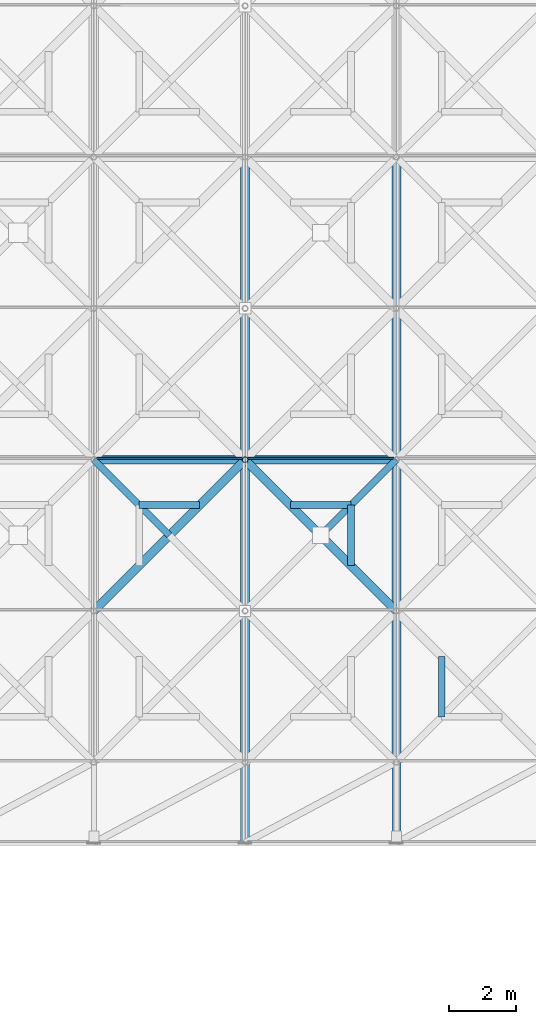
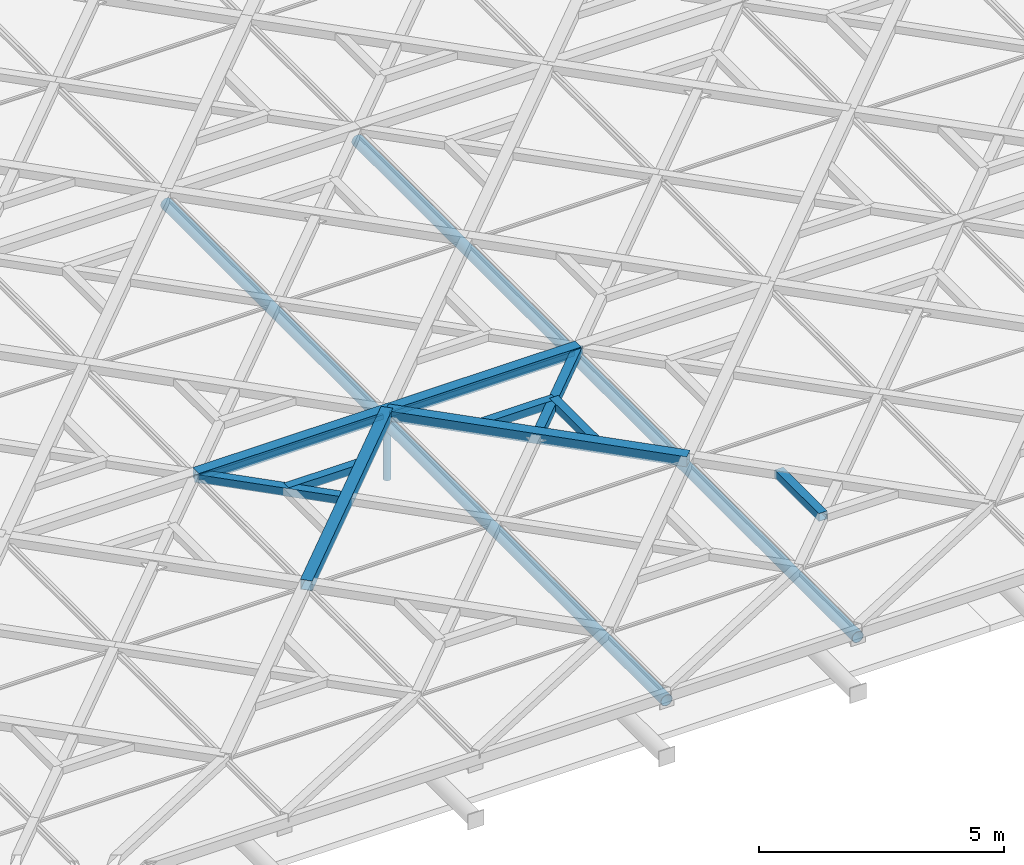
# One storey, part 20 of 80: 14 members, 2 elements without a shape of their own.
"""IFC4 building model written with IfcOpenShell, lengths in metres."""

import ifcopenshell
import ifcopenshell.guid

model = None  # the IFC model being written
_history = None  # IfcOwnerHistory: only IFC2X3 demands one
_inside = {}  # id of a spatial element -> (the spatial element, [elements in it])
_under = {}  # id of a project, library or spatial element -> (it, [spatial elements below it])
_declared = {}  # id of a project -> (the project, [libraries it declares])
_typed = {}  # id of a type object -> (the type object, [elements of that type])
_made_of = {}  # id of a material, layer set ... -> (it, [elements and type objects made of it])


def new_model(schema):
    """Start an empty IFC model of exactly this schema.

    Asked for "IFC4X3", IfcOpenShell would pick the latest addendum, in which some entities
    have other attributes; the version numbers below select the first issue.
    IFC2X3 requires an IfcOwnerHistory on every rooted entity: one is made here for all.
    """
    global model, _history
    if schema == "IFC4X3":
        model = ifcopenshell.file(schema_version=(4, 3, 0, 0))
    else:
        model = ifcopenshell.file(schema=schema)
    _inside.clear()
    _under.clear()
    _declared.clear()
    _typed.clear()
    _made_of.clear()
    _history = None
    if model.schema == "IFC2X3":
        org = make("IfcOrganization", Name="unknown")
        user = make(
            "IfcPersonAndOrganization",
            ThePerson=make("IfcPerson", FamilyName="unknown"),
            TheOrganization=org,
        )
        app = make(
            "IfcApplication",
            ApplicationDeveloper=org,
            Version="unknown",
            ApplicationFullName="unknown",
            ApplicationIdentifier="unknown",
        )
        _history = make(
            "IfcOwnerHistory",
            OwningUser=user,
            OwningApplication=app,
            ChangeAction="ADDED",
            CreationDate=0,
        )
    return model


def make(cls, **values):
    """One entity of the class cls with the attributes given. An attribute that is None is left unset."""
    return model.create_entity(
        cls, **{name: value for name, value in values.items() if value is not None}
    )


def rooted(cls, **values):
    """An entity with a GlobalId (a new one), such as an element, a storey or a relation."""
    return make(cls, GlobalId=ifcopenshell.guid.new(), OwnerHistory=_history, **values)


def si_unit(unit_type, name, prefix=None):
    """IfcSIUnit, for example si_unit("LENGTHUNIT", "METRE", prefix="MILLI")."""
    return make("IfcSIUnit", UnitType=unit_type, Prefix=prefix, Name=name)


def assignment(units):
    """IfcUnitAssignment: the units of a project."""
    return None if units is None else make("IfcUnitAssignment", Units=units)


def point(xyz):
    """IfcCartesianPoint."""
    return None if xyz is None else make("IfcCartesianPoint", Coordinates=xyz)


def direction(xyz):
    """IfcDirection."""
    return None if xyz is None else make("IfcDirection", DirectionRatios=xyz)


def frame(location, z_axis=None, x_axis=None):
    """IfcAxis2Placement3D, a coordinate frame: its origin and axes. An axis left out is left unset."""
    return make(
        "IfcAxis2Placement3D",
        Location=point(location),
        Axis=direction(z_axis),
        RefDirection=direction(x_axis),
    )


def frame_2d(location, x_axis=None):
    """IfcAxis2Placement2D, a coordinate frame in the plane: its origin and x axis."""
    return make(
        "IfcAxis2Placement2D", Location=point(location), RefDirection=direction(x_axis)
    )


def origin():
    """The frame at (0, 0, 0) with its axes left unset."""
    return frame((0.0, 0.0, 0.0))


def origin_2d():
    """The frame at (0, 0) in the plane with its x axis left unset."""
    return frame_2d((0.0, 0.0))


def place(relative_to, where):
    """IfcLocalPlacement: puts the frame where relative to a parent placement (None: the world)."""
    return make(
        "IfcLocalPlacement", PlacementRelTo=relative_to, RelativePlacement=where
    )


def context(
    kind, dimensions, precision=None, world=None, true_north=None, identifier=None
):
    """IfcGeometricRepresentationContext, for example the 3D "Model" context."""
    return make(
        "IfcGeometricRepresentationContext",
        ContextIdentifier=identifier,
        ContextType=kind,
        CoordinateSpaceDimension=dimensions,
        Precision=precision,
        WorldCoordinateSystem=world,
        TrueNorth=true_north,
    )


def subcontext(parent, identifier, kind, view, scale=None):
    """IfcGeometricRepresentationSubContext, for example "Body" below "Model"."""
    return make(
        "IfcGeometricRepresentationSubContext",
        ContextIdentifier=identifier,
        ContextType=kind,
        ParentContext=parent,
        TargetScale=scale,
        TargetView=view,
    )


def project(units=None, contexts=None):
    """IfcProject with its units and contexts."""
    return rooted(
        "IfcProject",
        Name="project",
        RepresentationContexts=contexts,
        UnitsInContext=assignment(units),
    )


def spatial(cls, under=None, at=None, **own):
    """A site, building, storey or space (cls), placed at a placement, below another one or the project."""
    s = rooted(cls, ObjectPlacement=at, **own)
    if under is not None:
        _under.setdefault(under.id(), (under, []))[1].append(s)
    return s


def profile(cls, at=None, kind="AREA", **sizes):
    """A parametric profile (cls). Its sizes go by their IFC names, for example OverallWidth=200.0."""
    return make(cls, ProfileType=kind, Position=at, **sizes)


def rectangle(**sizes):
    """IfcRectangleProfileDef."""
    return profile("IfcRectangleProfileDef", **sizes)


def hollow_rectangle(**sizes):
    """IfcRectangleHollowProfileDef."""
    return profile("IfcRectangleHollowProfileDef", **sizes)


def hollow_circle(**sizes):
    """IfcCircleHollowProfileDef."""
    return profile("IfcCircleHollowProfileDef", **sizes)


def extrude(swept, where, along, depth):
    """IfcExtrudedAreaSolid: the profile swept, set in the frame where, extruded along a direction by depth."""
    return make(
        "IfcExtrudedAreaSolid",
        SweptArea=swept,
        Position=where,
        ExtrudedDirection=direction(along),
        Depth=depth,
    )


def shape(context_of_items, identifier, shape_type, items):
    """IfcShapeRepresentation: the items that make up one representation, for example the "Body"."""
    return make(
        "IfcShapeRepresentation",
        ContextOfItems=context_of_items,
        RepresentationIdentifier=identifier,
        RepresentationType=shape_type,
        Items=items,
    )


def material(Name=None, Category=None):
    """IfcMaterial."""
    return make("IfcMaterial", Name=Name, Category=Category)


def material_profile(
    of_material, cross_section, Name=None, Category=None, Priority=None
):
    """IfcMaterialProfile: a cross section and its material."""
    return make(
        "IfcMaterialProfile",
        Name=Name,
        Material=of_material,
        Profile=cross_section,
        Priority=Priority,
        Category=Category,
    )


def profile_set(profiles, Name=None, composite=None):
    """IfcMaterialProfileSet."""
    return make(
        "IfcMaterialProfileSet",
        Name=Name,
        MaterialProfiles=profiles,
        CompositeProfile=composite,
    )


def made_of(thing, what):
    """Note that an element or type object is made of a material, layer set ...; save() writes the relation."""
    if what is not None:
        _made_of.setdefault(what.id(), (what, []))[1].append(thing)
    return thing


def type_object(cls, material=None, **own):
    """A type object (cls), such as IfcWallType, which elements share."""
    return made_of(rooted(cls, **own), material)


def element(
    cls,
    number,
    at=None,
    inside=None,
    cuts=None,
    type_object=None,
    material=None,
    context=None,
    identifier="Body",
    shape_type=None,
    held_by="IfcProductDefinitionShape",
    body=None,
    shapes=None,
    **own,
):
    """One element of the class cls, such as IfcWall. Its Tag is "e" and its number.

    at: its placement. inside: the storey or other place that contains it. cuts: it is an
    opening in that element (IfcRelVoidsElement). A single representation is given by context,
    identifier, shape_type and body (its items); several are given by shapes. held_by: the class
    of the entity that holds the representations. save() writes the other relations.
    """
    e = rooted(cls, Tag="e%d" % number, ObjectPlacement=at, **own)
    if body is not None:
        shapes = [shape(context, identifier, shape_type, body)]
    if shapes is not None:
        e.Representation = make(held_by, Representations=shapes)
    if inside is not None:
        _inside.setdefault(inside.id(), (inside, []))[1].append(e)
    if cuts is not None:
        rooted(
            "IfcRelVoidsElement", RelatingBuildingElement=cuts, RelatedOpeningElement=e
        )
    if type_object is not None:
        _typed.setdefault(type_object.id(), (type_object, []))[1].append(e)
    return made_of(e, material)


def aggregate(whole, parts):
    """IfcRelAggregates: a whole, such as a stair, and the parts it consists of."""
    return rooted("IfcRelAggregates", RelatingObject=whole, RelatedObjects=parts)


def save(model, path):
    """Write the relations noted so far, then the file.

    IfcRelAggregates (storeys below a building ...), IfcRelContainedInSpatialStructure (elements
    in a storey), IfcRelDefinesByType, IfcRelAssociatesMaterial and IfcRelDeclares: one each for
    every whole, place, type object, material and project.
    """
    for whole, parts in _under.values():
        aggregate(whole, parts)
    for where, things in _inside.values():
        rooted(
            "IfcRelContainedInSpatialStructure",
            RelatedElements=things,
            RelatingStructure=where,
        )
    for kind, things in _typed.values():
        rooted("IfcRelDefinesByType", RelatedObjects=things, RelatingType=kind)
    for what, things in _made_of.values():
        rooted("IfcRelAssociatesMaterial", RelatedObjects=things, RelatingMaterial=what)
    for by, libraries in _declared.values():
        rooted("IfcRelDeclares", RelatingContext=by, RelatedDefinitions=libraries)
    model.write(path)


model = new_model("IFC4")

# Units and contexts
model_context = context("Model", 3, precision=1e-05, world=origin(), true_north=direction((0.0, 1.0)))
body_context = subcontext(model_context, "Body", "Model", "MODEL_VIEW")
ifc_project = project(units=[si_unit("LENGTHUNIT", "METRE"), si_unit("AREAUNIT", "SQUARE_METRE"), si_unit("VOLUMEUNIT", "CUBIC_METRE"), si_unit("PLANEANGLEUNIT", "RADIAN"), si_unit("MASSUNIT", "GRAM", prefix="KILO"), si_unit("THERMODYNAMICTEMPERATUREUNIT", "KELVIN"), si_unit("POWERUNIT", "WATT")], contexts=[model_context])

# Site, building, storey
site_placement = place(None, origin())
site = spatial("IfcSite", under=ifc_project, at=site_placement, CompositionType="ELEMENT")
building_placement = place(site_placement, origin())
building = spatial("IfcBuilding", under=site, at=building_placement, Name="Tallowbark Science Centre", CompositionType="ELEMENT")
storey_placement = place(building_placement, frame((0.0, 0.0, 25.949951171875)))
storey = spatial("IfcBuildingStorey", under=building, at=storey_placement, Name="ROOF", CompositionType="ELEMENT", Elevation=25.949951171875)

# Curtain wall, member
ifc_material_1 = material(Name="Blue-Tinted Laminated Low-E Skylight Glass", Category="glass")
curtain_wall_type = type_object("IfcCurtainWallType", Name="CW-SKY-ROOF", PredefinedType="NOTDEFINED", material=ifc_material_1)
curtain_wall_1_placement = place(storey_placement, origin())
curtain_wall_1 = element("IfcCurtainWall", 1, at=curtain_wall_1_placement, inside=storey, type_object=curtain_wall_type, Name="Exhibition Star-Screen Skylight Bay 4", PredefinedType="NOTDEFINED")
ifc_material_2 = material(Name="Anodised Architectural Aluminium Alloy 6063-T6", Category="aluminium")
ifc_material_profile_1 = material_profile(ifc_material_2, rectangle(XDim=0.054931640625, YDim=0.1201171875, at=origin_2d()), Name="ALU55x120")
ifc_profile_set_1 = profile_set([ifc_material_profile_1], Name="Anodised Architectural Aluminium Alloy 6063-T6")
member_type_1 = type_object("IfcMemberType", Name="CWM-SKY-TRN", PredefinedType="USERDEFINED", material=ifc_profile_set_1)
member_1_placement = place(storey_placement, frame((67.580078125, 13.5400390625, 0.35205078125), z_axis=(1.0, 0.0, 0.0), x_axis=(0.0, 1.0, 0.0)))
member_1 = element("IfcMember", 2, at=member_1_placement, type_object=member_type_1, Name="Skylight Bay 4 Transom 4", ObjectType="TRANSOM", PredefinedType="USERDEFINED", context=body_context, shape_type="SweptSolid", body=[
    extrude(rectangle(XDim=0.054931640625, YDim=0.1201171875, at=origin_2d()), origin(), (0.0, 0.0, 1.0), 4.33984375),
])
aggregate(curtain_wall_1, [member_1])

curtain_wall_2_placement = place(storey_placement, origin())
curtain_wall_2 = element("IfcCurtainWall", 3, at=curtain_wall_2_placement, inside=storey, type_object=curtain_wall_type, Name="Exhibition Star-Screen Skylight Bay 5", PredefinedType="NOTDEFINED")
member_2_placement = place(storey_placement, frame((72.080078125, 13.5400390625, 0.35205078125), z_axis=(1.0, 0.0, 0.0), x_axis=(0.0, 1.0, 0.0)))
member_2 = element("IfcMember", 4, at=member_2_placement, type_object=member_type_1, Name="Skylight Bay 5 Transom 4", ObjectType="TRANSOM", PredefinedType="USERDEFINED", context=body_context, shape_type="SweptSolid", body=[
    extrude(rectangle(XDim=0.054931640625, YDim=0.1201171875, at=origin_2d()), origin(), (0.0, 0.0, 1.0), 4.33984375),
])
aggregate(curtain_wall_2, [member_2])

# Members
ifc_material_3 = material(Name="White Architectural Painted Steel Grade C350L0 (350 MPa)", Category="steel")
ifc_material_profile_2 = material_profile(ifc_material_3, hollow_rectangle(XDim=0.25, YDim=0.25, WallThickness=0.009033203125, at=origin_2d()), Name="250x250x9.0SHS")
ifc_profile_set_2 = profile_set([ifc_material_profile_2], Name="White Architectural Painted Steel Grade C350L0 (350 MPa)")
member_type_2 = type_object("IfcMemberType", Name="SCR-CHD200", PredefinedType="CHORD", material=ifc_profile_set_2)
member_3_placement = place(storey_placement, frame((67.5, 13.5, 0.449951171875), z_axis=(1.0, 0.0, 0.0), x_axis=(0.0, 1.0, 0.0)))
element("IfcMember", 5, at=member_3_placement, inside=storey, type_object=member_type_2, Name="Star Screen Frame Chord TOP-58", PredefinedType="CHORD", context=body_context, shape_type="SweptSolid", body=[
    extrude(hollow_rectangle(XDim=0.25, YDim=0.25, WallThickness=0.009033203125, at=origin_2d()), origin(), (0.0, 0.0, 1.0), 9.0),
])
for number, where, z_axis, x_axis, name in (
    (6, (76.5, 9.0, 0.449951171875), (-0.707106781187, 0.707106781187, 0.0), (-0.707106781187, -0.707106781187, 0.0), "Star Screen Octagram Diamond Chord TOP-58-2"),
    (7, (72.0, 13.5, 0.449951171875), (-0.707106781187, -0.707106781187, 0.0), (0.707106781187, -0.707106781187, 0.0), "Star Screen Octagram Diamond Chord TOP-58-3"),
):
    element("IfcMember", number, at=place(storey_placement, frame(where, z_axis=z_axis, x_axis=x_axis)), inside=storey, type_object=member_type_2, Name=name, PredefinedType="CHORD", context=body_context, shape_type="SweptSolid", body=[
        extrude(hollow_rectangle(XDim=0.25, YDim=0.25, WallThickness=0.009033203125, at=origin_2d()), origin(), (0.0, 0.0, 1.0), 6.364013671875),
    ])
ifc_material_profile_3 = material_profile(ifc_material_3, hollow_rectangle(XDim=0.199951171875, YDim=0.199951171875, WallThickness=0.009033203125, at=origin_2d()), Name="200x200x9.0SHS")
ifc_profile_set_3 = profile_set([ifc_material_profile_3], Name="White Architectural Painted Steel Grade C350L0 (350 MPa)")
member_type_3 = type_object("IfcMemberType", Name="SCR-STAR139", PredefinedType="BRACE", material=ifc_profile_set_3)
for number, where, z_axis, x_axis, name in (
    (8, (74.25, 11.25, 0.449951171875), (0.707106781187, 0.707106781187, 0.0), (-0.707106781187, 0.707106781187, 0.0), "Star Screen Continuous X-Diagonal D1B TOP-58"),
    (9, (67.5, 13.5, 0.449951171875), (0.707106781187, -0.707106781187, 0.0), (0.707106781187, 0.707106781187, 0.0), "Star Screen Split X-Diagonal D2A TOP-58"),
):
    element("IfcMember", number, at=place(storey_placement, frame(where, z_axis=z_axis, x_axis=x_axis)), inside=storey, type_object=member_type_3, Name=name, PredefinedType="BRACE", context=body_context, shape_type="SweptSolid", body=[
        extrude(hollow_rectangle(XDim=0.199951171875, YDim=0.199951171875, WallThickness=0.009033203125, at=origin_2d()), origin(), (0.0, 0.0, 1.0), 3.181884765625),
    ])
ifc_material_profile_4 = material_profile(ifc_material_3, hollow_rectangle(XDim=0.199951171875, YDim=0.199951171875, WallThickness=0.009033203125, at=origin_2d()), Name="200x200x9.0SHS")
ifc_profile_set_4 = profile_set([ifc_material_profile_4], Name="White Architectural Painted Steel Grade C350L0 (350 MPa)")
member_type_4 = type_object("IfcMemberType", Name="SCR-SUB150", PredefinedType="BRACE", material=ifc_profile_set_4)
for number, where, z_axis, x_axis, name in (
    (10, (75.14990234375, 12.14990234375, 0.449951171875), (-1.0, 0.0, 0.0), (0.0, -1.0, 0.0), "Star Screen Octagram Point Ray TOP-58-5"),
    (11, (75.14990234375, 12.14990234375, 0.449951171875), (0.0, -1.0, 0.0), (1.0, 0.0, 0.0), "Star Screen Octagram Point Ray TOP-58-6"),
    (12, (68.85009765625, 12.14990234375, 0.449951171875), (1.0, 0.0, 0.0), (0.0, 1.0, 0.0), "Star Screen Octagram Point Ray TOP-58-7"),
    (13, (77.85009765625, 5.85009765625, 0.449951171875), (0.0, 1.0, 0.0), (-1.0, 0.0, 0.0), "Star Screen Octagram Point Ray TOP-62-2"),
):
    element("IfcMember", number, at=place(storey_placement, frame(where, z_axis=z_axis, x_axis=x_axis)), inside=storey, type_object=member_type_4, Name=name, PredefinedType="BRACE", context=body_context, shape_type="SweptSolid", body=[
        extrude(hollow_rectangle(XDim=0.199951171875, YDim=0.199951171875, WallThickness=0.009033203125, at=origin_2d()), origin(), (0.0, 0.0, 1.0), 1.7998046875),
    ])
ifc_material_profile_5 = material_profile(ifc_material_3, hollow_circle(Radius=0.136474609375, WallThickness=0.00927734375, at=origin_2d()), Name="273.1x9.3CHS")
ifc_profile_set_5 = profile_set([ifc_material_profile_5], Name="White Architectural Painted Steel Grade C350L0 (350 MPa)")
member_type_5 = type_object("IfcMemberType", Name="TR-CHD273", PredefinedType="CHORD", material=ifc_profile_set_5)
for number, where, z_axis, x_axis, name in (
    (14, (72.0, 2.10009765625, 0.18994140625), (0.0, 1.0, 0.0), (-1.0, 0.0, 0.0), "Exhibition Roof Truss South Top Chord 4"),
    (15, (76.5, 2.10009765625, 0.18994140625), (0.0, 1.0, 0.0), (-1.0, 0.0, 0.0), "Exhibition Roof Truss South Top Chord 5"),
):
    element("IfcMember", number, at=place(storey_placement, frame(where, z_axis=z_axis, x_axis=x_axis)), inside=storey, type_object=member_type_5, Name=name, PredefinedType="CHORD", context=body_context, shape_type="SweptSolid", body=[
        extrude(hollow_circle(Radius=0.136474609375, WallThickness=0.00927734375, at=origin_2d()), origin(), (0.0, 0.0, 1.0), 20.39990234375),
    ])
ifc_material_profile_6 = material_profile(ifc_material_3, hollow_circle(Radius=0.084228515625, WallThickness=0.007080078125, at=origin_2d()), Name="168.3x7.1CHS")
ifc_profile_set_6 = profile_set([ifc_material_profile_6], Name="White Architectural Painted Steel Grade C350L0 (350 MPa)")
member_type_6 = type_object("IfcMemberType", Name="TR-WEB168", PredefinedType="BRACE", material=ifc_profile_set_6)
member_4_placement = place(storey_placement, frame((72.0, 13.5, -1.199951171875), z_axis=(0.0, 0.0, 1.0), x_axis=(1.0, 0.0, 0.0)))
element("IfcMember", 16, at=member_4_placement, inside=storey, type_object=member_type_6, Name="Exhibition Roof Truss Web 4-13.5", PredefinedType="BRACE", context=body_context, shape_type="SweptSolid", body=[
    extrude(hollow_circle(Radius=0.084228515625, WallThickness=0.007080078125, at=origin_2d()), origin(), (0.0, 0.0, 1.0), 1.389892578125),
])

save(model, "model.ifc")
